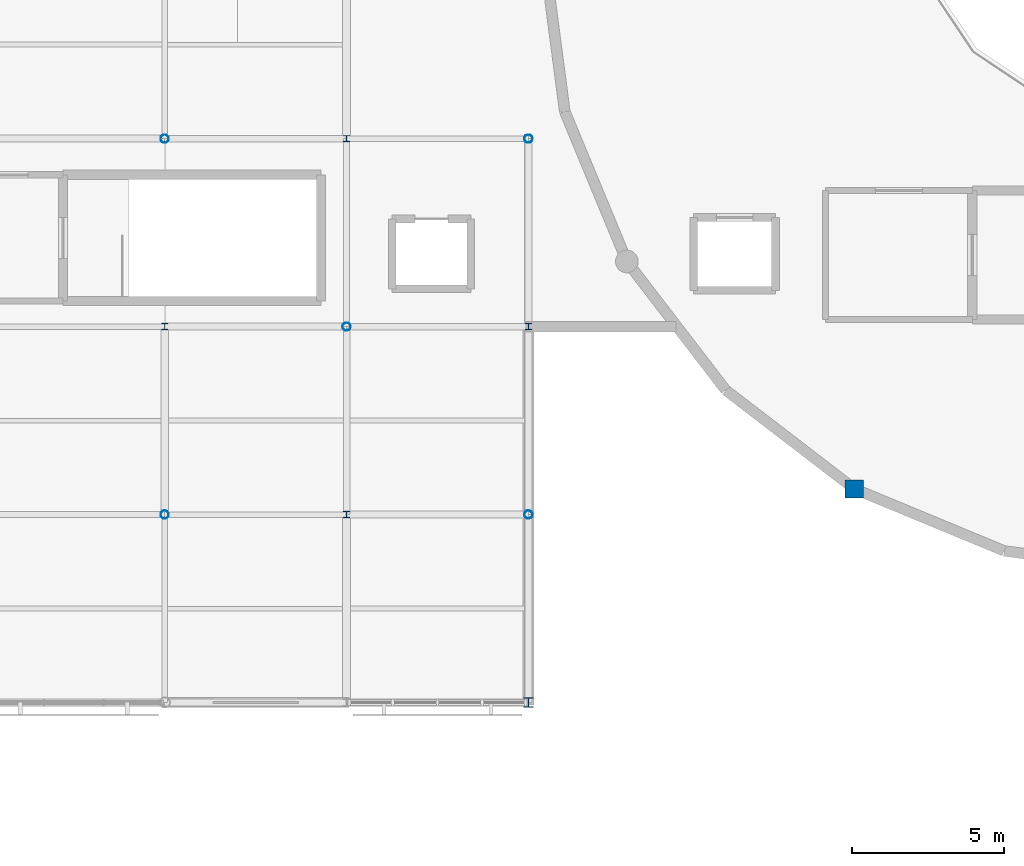
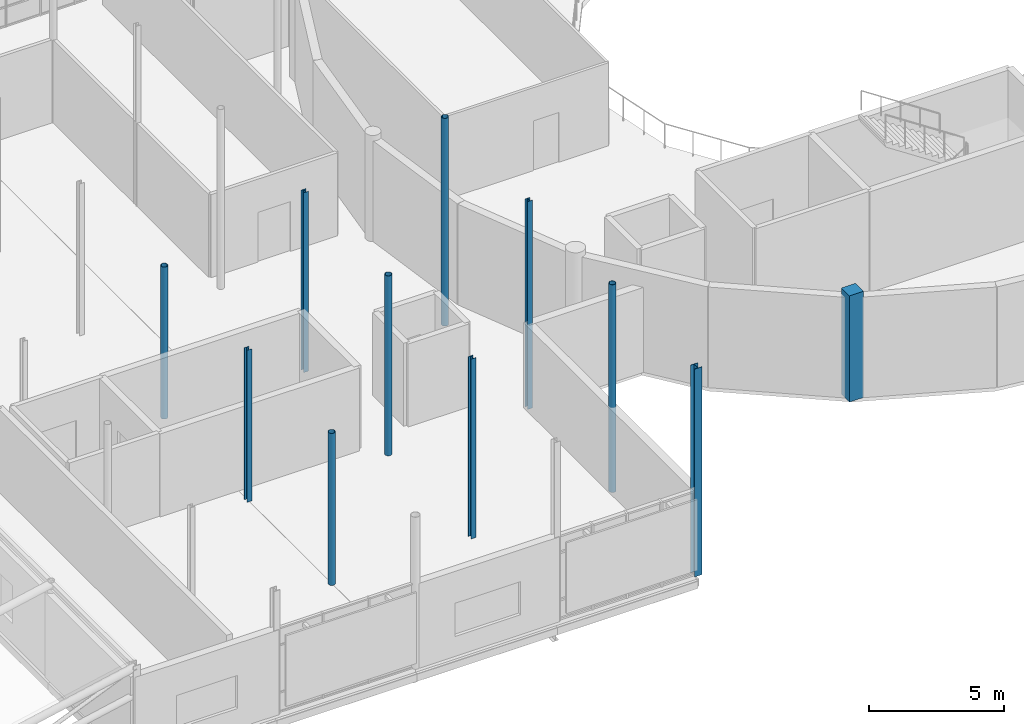
# One storey, part 2 of 66: 11 columns.
"""IFC4 building model written with IfcOpenShell, lengths in metres."""

from ifc_helpers import new_model, si_unit, direction, frame, origin, origin_2d, place, context, subcontext, project, spatial, rectangle, hollow_circle, i_section, extrude, material, material_profile, profile_set, type_object, element, save


model = new_model("IFC4")

# Units and contexts
model_context = context("Model", 3, precision=1e-05, world=origin(), true_north=direction((0.0, 1.0)))
body_context = subcontext(model_context, "Body", "Model", "MODEL_VIEW")
ifc_project = project(units=[si_unit("LENGTHUNIT", "METRE"), si_unit("AREAUNIT", "SQUARE_METRE"), si_unit("VOLUMEUNIT", "CUBIC_METRE"), si_unit("PLANEANGLEUNIT", "RADIAN"), si_unit("MASSUNIT", "GRAM", prefix="KILO")], contexts=[model_context])

# Site, building, storey
site_placement = place(None, origin())
site = spatial("IfcSite", under=ifc_project, at=site_placement, CompositionType="ELEMENT")
building_placement = place(site_placement, origin())
building = spatial("IfcBuilding", under=site, at=building_placement, Name="Mirzam Square Science Centre", CompositionType="ELEMENT")
storey_placement = place(building_placement, frame((0.0, 0.0, 15.60009765625)))
storey = spatial("IfcBuildingStorey", under=building, at=storey_placement, Name="L03", CompositionType="ELEMENT", Elevation=15.60009765625)

# Columns
ifc_material_1 = material(Name="Steel S355", Category="steel")
ifc_material_profile_1 = material_profile(ifc_material_1, hollow_circle(Radius=0.136474609375, WallThickness=0.010009765625, at=origin_2d()), Name="273.0x10.0CHS")
ifc_profile_set_1 = profile_set([ifc_material_profile_1], Name="Steel S355")
column_type_1 = type_object("IfcColumnType", Name="COL-CHS273", PredefinedType="COLUMN", material=ifc_profile_set_1)
for number, where, z_axis, x_axis, name in (
    (1, (48.0, 43.39990234375, 0.0), (0.0, 0.0, 1.0), (1.0, 0.0, 0.0), "L03 column G09-08"),
    (2, (48.0, 55.800048828125, 0.0), (0.0, 0.0, 1.0), (1.0, 0.0, 0.0), "L03 column G09-10"),
):
    element("IfcColumn", number, at=place(storey_placement, frame(where, z_axis=z_axis, x_axis=x_axis)), inside=storey, type_object=column_type_1, Name=name, PredefinedType="COLUMN", context=body_context, shape_type="SweptSolid", body=[
        extrude(hollow_circle(Radius=0.136474609375, WallThickness=0.010009765625, at=origin_2d()), origin(), (0.0, 0.0, 1.0), 6.869873046875),
    ])
column_1_placement = place(storey_placement, frame((54.0, 49.60009765625, 0.0), z_axis=(0.0, 0.0, 1.0), x_axis=(1.0, 0.0, 0.0)))
element("IfcColumn", 3, at=column_1_placement, inside=storey, type_object=column_type_1, Name="L03 column G10-09", PredefinedType="COLUMN", context=body_context, shape_type="SweptSolid", body=[
    extrude(hollow_circle(Radius=0.136474609375, WallThickness=0.010009765625, at=origin_2d()), origin(), (0.0, 0.0, 1.0), 8.1298828125),
])
for number, where, z_axis, x_axis, name in (
    (4, (60.0, 43.39990234375, 0.0), (0.0, 0.0, 1.0), (1.0, 0.0, 0.0), "L03 column G11-08"),
    (5, (60.0, 55.800048828125, 0.0), (0.0, 0.0, 1.0), (1.0, 0.0, 0.0), "L03 column G11-10"),
):
    element("IfcColumn", number, at=place(storey_placement, frame(where, z_axis=z_axis, x_axis=x_axis)), inside=storey, type_object=column_type_1, Name=name, PredefinedType="COLUMN", context=body_context, shape_type="SweptSolid", body=[
        extrude(hollow_circle(Radius=0.136474609375, WallThickness=0.010009765625, at=origin_2d()), origin(), (0.0, 0.0, 1.0), 9.389892578125),
    ])
ifc_material_profile_2 = material_profile(ifc_material_1, i_section(OverallWidth=0.205810546875, OverallDepth=0.209716796875, WebThickness=0.009521484375, FlangeThickness=0.01416015625, FilletRadius=0.01025390625, at=origin_2d()), Name="203x203x60UC")
ifc_profile_set_2 = profile_set([ifc_material_profile_2], Name="Steel S355")
column_type_2 = type_object("IfcColumnType", Name="COL-UC203A", PredefinedType="COLUMN", material=ifc_profile_set_2)
column_2_placement = place(storey_placement, frame((48.0, 49.60009765625, 0.0), z_axis=(0.0, 0.0, 1.0), x_axis=(1.0, 0.0, 0.0)))
element("IfcColumn", 6, at=column_2_placement, inside=storey, type_object=column_type_2, Name="L03 column G09-09", PredefinedType="COLUMN", context=body_context, shape_type="SweptSolid", body=[
    extrude(i_section(OverallWidth=0.205810546875, OverallDepth=0.209716796875, WebThickness=0.009521484375, FlangeThickness=0.01416015625, FilletRadius=0.01025390625, at=origin_2d()), origin(), (0.0, 0.0, 1.0), 6.869873046875),
])
for number, where, z_axis, x_axis, name in (
    (7, (54.0, 43.39990234375, 0.0), (0.0, 0.0, 1.0), (1.0, 0.0, 0.0), "L03 column G10-08"),
    (8, (54.0, 55.800048828125, 0.0), (0.0, 0.0, 1.0), (1.0, 0.0, 0.0), "L03 column G10-10"),
):
    element("IfcColumn", number, at=place(storey_placement, frame(where, z_axis=z_axis, x_axis=x_axis)), inside=storey, type_object=column_type_2, Name=name, PredefinedType="COLUMN", context=body_context, shape_type="SweptSolid", body=[
        extrude(i_section(OverallWidth=0.205810546875, OverallDepth=0.209716796875, WebThickness=0.009521484375, FlangeThickness=0.01416015625, FilletRadius=0.01025390625, at=origin_2d()), origin(), (0.0, 0.0, 1.0), 8.1298828125),
    ])
column_3_placement = place(storey_placement, frame((60.0, 49.60009765625, 0.0), z_axis=(0.0, 0.0, 1.0), x_axis=(1.0, 0.0, 0.0)))
element("IfcColumn", 9, at=column_3_placement, inside=storey, type_object=column_type_2, Name="L03 column G11-09", PredefinedType="COLUMN", context=body_context, shape_type="SweptSolid", body=[
    extrude(i_section(OverallWidth=0.205810546875, OverallDepth=0.209716796875, WebThickness=0.009521484375, FlangeThickness=0.01416015625, FilletRadius=0.01025390625, at=origin_2d()), origin(), (0.0, 0.0, 1.0), 9.389892578125),
])
ifc_material_profile_3 = material_profile(ifc_material_1, i_section(OverallWidth=0.30908203125, OverallDepth=0.320556640625, WebThickness=0.013916015625, FlangeThickness=0.021728515625, FilletRadius=0.01513671875, at=origin_2d()), Name="305x305x137UC")
ifc_profile_set_3 = profile_set([ifc_material_profile_3], Name="Steel S355")
column_type_3 = type_object("IfcColumnType", Name="COL-UC305A", PredefinedType="COLUMN", material=ifc_profile_set_3)
column_4_placement = place(storey_placement, frame((60.0, 37.199951171875, 0.0), z_axis=(0.0, 0.0, 1.0), x_axis=(1.0, 0.0, 0.0)))
element("IfcColumn", 10, at=column_4_placement, inside=storey, type_object=column_type_3, Name="L03 column G11-07", PredefinedType="COLUMN", context=body_context, shape_type="SweptSolid", body=[
    extrude(i_section(OverallWidth=0.30908203125, OverallDepth=0.320556640625, WebThickness=0.013916015625, FlangeThickness=0.021728515625, FilletRadius=0.01513671875, at=origin_2d()), origin(), (0.0, 0.0, 1.0), 9.389892578125),
])
ifc_material_2 = material(Name="Concrete C45/55", Category="concrete")
ifc_material_profile_4 = material_profile(ifc_material_2, rectangle(XDim=0.60009765625, YDim=0.60009765625, at=origin_2d()), Name="RC600x600")
ifc_profile_set_4 = profile_set([ifc_material_profile_4], Name="Concrete C45/55")
column_type_4 = type_object("IfcColumnType", Name="PIL-RC600", PredefinedType="PILASTER", material=ifc_profile_set_4)
column_5_placement = place(storey_placement, frame((70.75, 44.24658203125, 0.0), z_axis=(0.0, 0.0, 1.0), x_axis=(1.0, 0.0, 0.0)))
element("IfcColumn", 11, at=column_5_placement, inside=storey, type_object=column_type_4, Name="L03 drum pilaster 17", PredefinedType="PILASTER", context=body_context, shape_type="SweptSolid", body=[
    extrude(rectangle(XDim=0.60009765625, YDim=0.60009765625, at=origin_2d()), origin(), (0.0, 0.0, 1.0), 4.7998046875),
])

save(model, "model.ifc")
